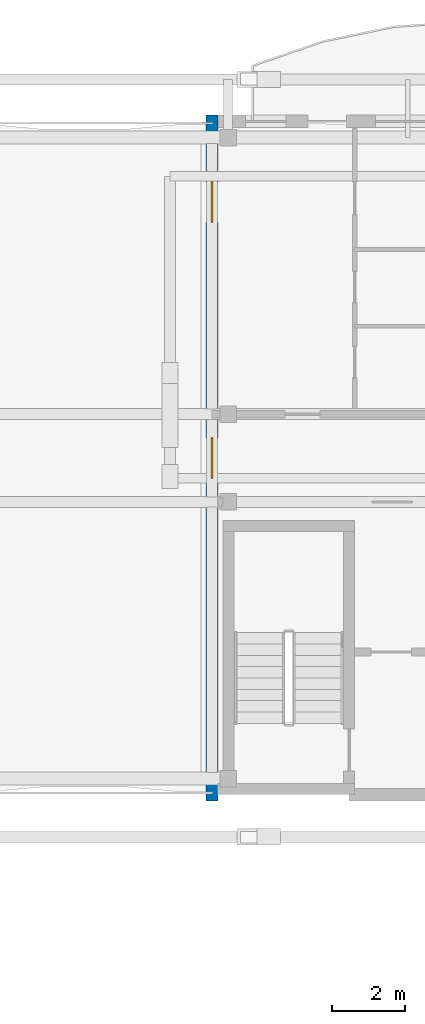
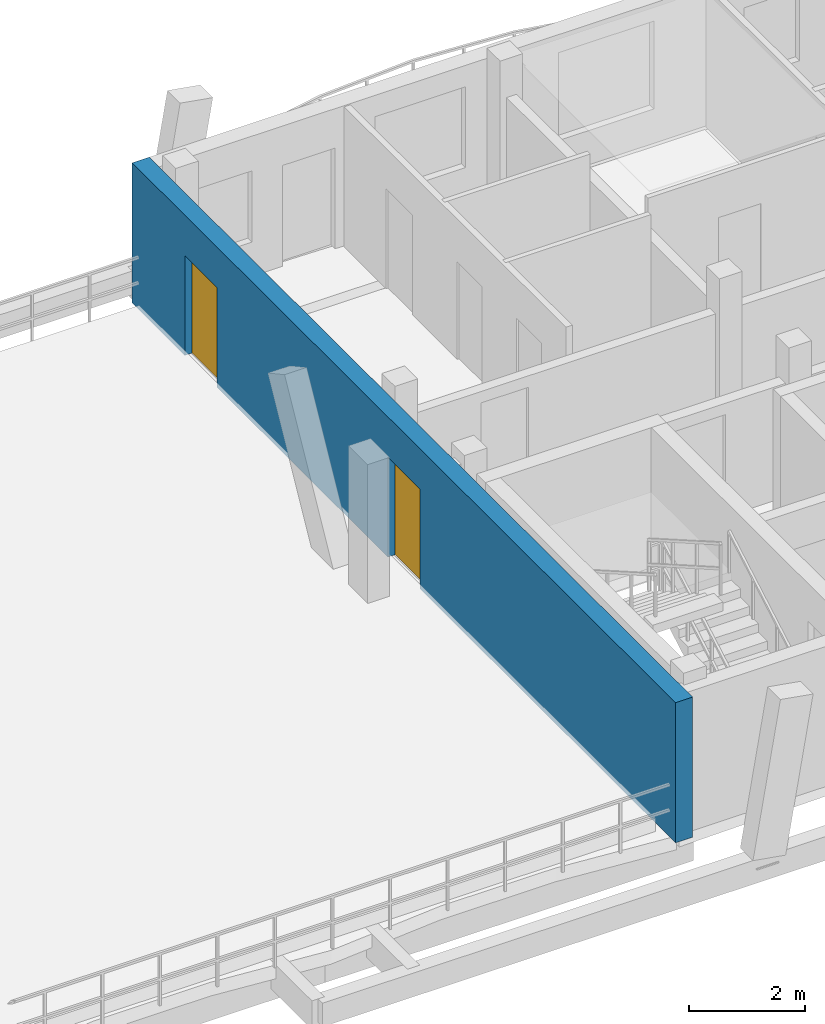
# One storey, part 25 of 44: 2 doors, 1 wall, 2 openings.
"""IFC4 building model written with IfcOpenShell, lengths in metres."""

from ifc_helpers import new_model, si_unit, direction, frame, frame_2d, origin, place, context, subcontext, project, spatial, rectangle, extrude, material, layer, layer_set, type_object, element, fill, save


model = new_model("IFC4")

# Units and contexts
model_context = context("Model", 3, precision=1e-05, world=origin(), true_north=direction((0.0, 1.0)))
body_context = subcontext(model_context, "Body", "Model", "MODEL_VIEW")
ifc_project = project(units=[si_unit("LENGTHUNIT", "METRE"), si_unit("AREAUNIT", "SQUARE_METRE"), si_unit("VOLUMEUNIT", "CUBIC_METRE"), si_unit("PLANEANGLEUNIT", "RADIAN"), si_unit("MASSUNIT", "GRAM", prefix="KILO")], contexts=[model_context])

# Site, building, storey
site_placement = place(None, origin())
site = spatial("IfcSite", under=ifc_project, at=site_placement, CompositionType="ELEMENT")
building_placement = place(site_placement, origin())
building = spatial("IfcBuilding", under=site, at=building_placement, Name="Zavelmont Quarter", CompositionType="ELEMENT")
storey_placement = place(building_placement, frame((0.0, 0.0, 20.800048828125)))
storey = spatial("IfcBuildingStorey", under=building, at=storey_placement, Name="L06", CompositionType="ELEMENT", Elevation=20.800048828125)

# Wall, openings, doors
ifc_material_1 = material(Name="Natural Belgian limestone", Category="masonry")
ifc_layer = layer(ifc_material_1, 0.340087890625)
ifc_layer_set = layer_set([ifc_layer], Name="Natural Belgian limestone")
wall_type = type_object("IfcWallType", Name="EW03", PredefinedType="STANDARD", material=ifc_layer_set)
wall_placement = place(storey_placement, frame((126.60009765625, 97.429931640625, 0.0), z_axis=(0.0, 0.0, 1.0), x_axis=(0.0, 1.0, 0.0)))
wall = element("IfcWall", 1, at=wall_placement, inside=storey, type_object=wall_type, Name="L06 exterior limestone wall EW03", PredefinedType="STANDARD", context=body_context, shape_type="SweptSolid", body=[
    extrude(rectangle(XDim=18.739990234375, YDim=0.340087890625, at=frame_2d((9.3701171875, 0.0))), origin(), (0.0, 0.0, 1.0), 2.949951171875),
])
opening_1_placement = place(wall_placement, frame((8.820068359375, 0.0, 0.0)))
opening_1 = element("IfcOpeningElement", 2, at=opening_1_placement, cuts=wall, Name="Opening DR04B", PredefinedType="OPENING", context=body_context, shape_type="SweptSolid", body=[
    extrude(rectangle(XDim=1.10009765625, YDim=2.10009765625, at=frame_2d((0.550048828125, 1.050048828125))), frame((0.0, 0.18212890625, 0.0), z_axis=(0.0, -1.0, 0.0), x_axis=(1.0, 0.0, 0.0)), (0.0, 0.0, 1.0), 0.364013671875),
])
opening_2_placement = place(wall_placement, frame((15.820068359375, 0.0, 0.0)))
opening_2 = element("IfcOpeningElement", 3, at=opening_2_placement, cuts=wall, Name="Opening DR04B", PredefinedType="OPENING", context=body_context, shape_type="SweptSolid", body=[
    extrude(rectangle(XDim=1.10009765625, YDim=2.10009765625, at=frame_2d((0.550048828125, 1.050048828125))), frame((0.0, 0.18212890625, 0.0), z_axis=(0.0, -1.0, 0.0), x_axis=(1.0, 0.0, 0.0)), (0.0, 0.0, 1.0), 0.364013671875),
])
ifc_material_2 = material(Name="Thermally broken aluminium and double safety glass", Category="aluminium")
door_type = type_object("IfcDoorType", Name="DR04B", OperationType="NOTDEFINED", PredefinedType="DOOR", material=ifc_material_2)
door_1_placement = place(opening_1_placement, frame((1.10009765625, 0.0, 0.0), z_axis=(0.0, 0.0, 1.0), x_axis=(-1.0, 0.0, 0.0)))
door_1 = element("IfcDoor", 4, at=door_1_placement, inside=storey, type_object=door_type, Name="Block C L06 terrace or vase balcony door", OperationType="SINGLE_SWING_LEFT", OverallHeight=2.10009765625, OverallWidth=1.10009765625, PredefinedType="DOOR", context=body_context, shape_type="SweptSolid", body=[
    extrude(rectangle(XDim=1.10009765625, YDim=2.10009765625, at=frame_2d((0.550048828125, 1.050048828125))), frame((0.0, 0.02490234375, 0.0), z_axis=(0.0, -1.0, 0.0), x_axis=(1.0, 0.0, 0.0)), (0.0, 0.0, 1.0), 0.050048828125),
])
fill(opening_1, door_1)
door_2_placement = place(opening_2_placement, frame((1.10009765625, 0.0, 0.0), z_axis=(0.0, 0.0, 1.0), x_axis=(-1.0, 0.0, 0.0)))
door_2 = element("IfcDoor", 5, at=door_2_placement, inside=storey, type_object=door_type, Name="Block C L06 terrace or vase balcony door", OperationType="SINGLE_SWING_RIGHT", OverallHeight=2.10009765625, OverallWidth=1.10009765625, PredefinedType="DOOR", context=body_context, shape_type="SweptSolid", body=[
    extrude(rectangle(XDim=1.10009765625, YDim=2.10009765625, at=frame_2d((0.550048828125, 1.050048828125))), frame((0.0, 0.02490234375, 0.0), z_axis=(0.0, -1.0, 0.0), x_axis=(1.0, 0.0, 0.0)), (0.0, 0.0, 1.0), 0.050048828125),
])
fill(opening_2, door_2)

save(model, "model.ifc")
